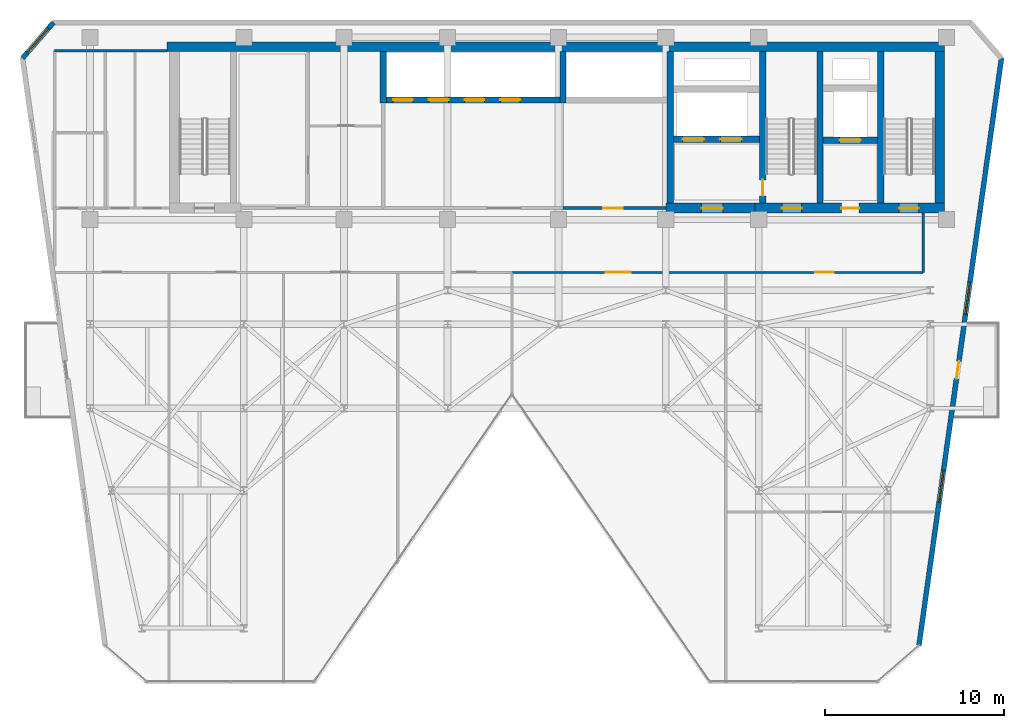
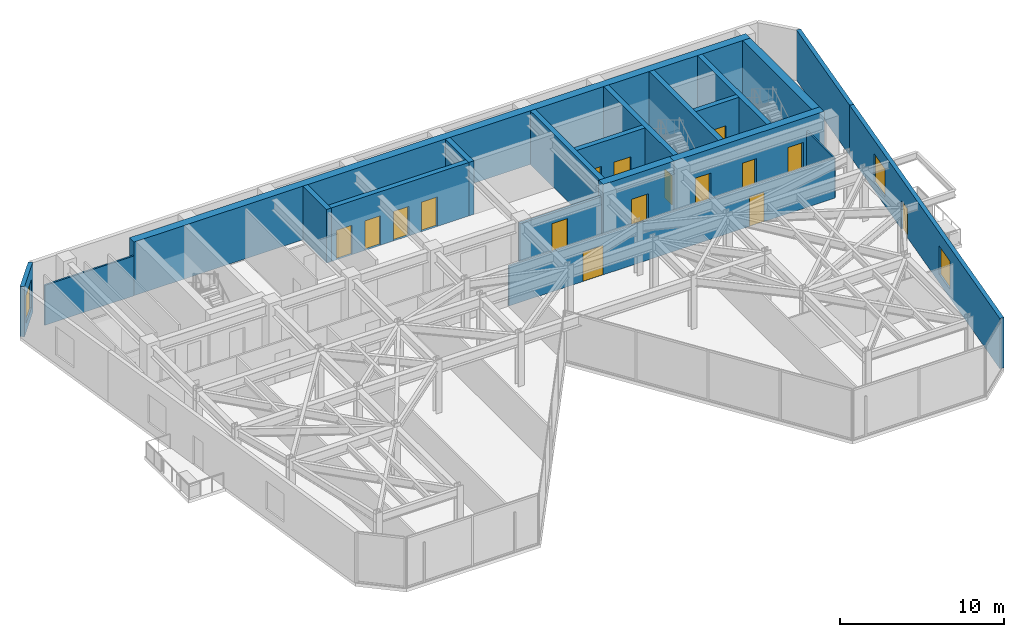
# One storey, part 17 of 21: 20 walls, 16 doors, 3 windows, 19 openings.
"""IFC4 building model written with IfcOpenShell, lengths in metres."""

from ifc_helpers import new_model, si_unit, direction, frame, frame_2d, origin, place, context, subcontext, project, spatial, rectangle, extrude, material, layer, layer_set, type_object, element, fill, save


model = new_model("IFC4")

# Units and contexts
model_context = context("Model", 3, precision=1e-05, world=origin(), true_north=direction((0.0, 1.0)))
body_context = subcontext(model_context, "Body", "Model", "MODEL_VIEW")
ifc_project = project(units=[si_unit("LENGTHUNIT", "METRE"), si_unit("AREAUNIT", "SQUARE_METRE"), si_unit("VOLUMEUNIT", "CUBIC_METRE"), si_unit("PLANEANGLEUNIT", "RADIAN"), si_unit("MASSUNIT", "GRAM", prefix="KILO")], contexts=[model_context])

# Site, building, storey
site_placement = place(None, origin())
site = spatial("IfcSite", under=ifc_project, at=site_placement, CompositionType="ELEMENT")
building_placement = place(site_placement, origin())
building = spatial("IfcBuilding", under=site, at=building_placement, Name="Kravanh Interchange Tower", CompositionType="ELEMENT")
storey_placement = place(building_placement, frame((0.0, 0.0, 168.5)))
storey = spatial("IfcBuildingStorey", under=building, at=storey_placement, Name="L40", CompositionType="ELEMENT", Elevation=168.5)

# Wall
ifc_material_1 = material(Name="Double Acoustic Gypsum Board and Mineral Wool")
ifc_layer_1 = layer(ifc_material_1, 0.1201171875)
ifc_layer_set_1 = layer_set([ifc_layer_1], Name="Acoustic Office Drywall Partition 120mm")
wall_type_1 = type_object("IfcWallType", Name="Acoustic Office Drywall Partition 120mm", PredefinedType="PARTITIONING", material=ifc_layer_set_1)
wall_1_placement = place(storey_placement, frame((16.6201171875, 46.800048828125, 0.0), z_axis=(0.0, 0.0, 1.0), x_axis=(1.0, 0.0, 0.0)))
element("IfcWall", 1, at=wall_1_placement, inside=storey, type_object=wall_type_1, Name="L40 Restroom North Enclosure 9", PredefinedType="PARTITIONING", context=body_context, shape_type="SweptSolid", body=[
    extrude(rectangle(XDim=6.27978515625, YDim=0.1201171875, at=frame_2d((3.139892578125, 0.0))), origin(), (0.0, 0.0, 1.0), 2.98193359375),
])

# Wall, openings, doors
wall_2_placement = place(storey_placement, frame((42.199951171875, 34.39990234375, 0.0), z_axis=(0.0, 0.0, 1.0), x_axis=(1.0, 0.0, 0.0)))
wall_2 = element("IfcWall", 2, at=wall_2_placement, inside=storey, type_object=wall_type_1, Name="L40 Interior Partition 14", PredefinedType="PARTITIONING", context=body_context, shape_type="SweptSolid", body=[
    extrude(rectangle(XDim=23.0, YDim=0.1201171875, at=frame_2d((11.5, 0.0))), origin(), (0.0, 0.0, 1.0), 2.98193359375),
])
opening_1_placement = place(wall_2_placement, frame((5.23974609375, 0.0, 0.0)))
opening_1 = element("IfcOpeningElement", 3, at=opening_1_placement, cuts=wall_2, Name="Opening DBL-140", PredefinedType="OPENING", context=body_context, shape_type="SweptSolid", body=[
    extrude(rectangle(XDim=1.39990234375, YDim=2.199951171875, at=frame_2d((0.699951171875, 1.10009765625))), frame((0.0, 0.070068359375, 0.0), z_axis=(0.0, -1.0, 0.0), x_axis=(1.0, 0.0, 0.0)), (0.0, 0.0, 1.0), 0.14013671875),
])
opening_2_placement = place(wall_2_placement, frame((16.955078125, 0.0, 0.0)))
opening_2 = element("IfcOpeningElement", 4, at=opening_2_placement, cuts=wall_2, Name="Opening D-105", PredefinedType="OPENING", context=body_context, shape_type="SweptSolid", body=[
    extrude(rectangle(XDim=1.050048828125, YDim=2.199951171875, at=frame_2d((0.52490234375, 1.10009765625))), frame((0.0, 0.070068359375, 0.0), z_axis=(0.0, -1.0, 0.0), x_axis=(1.0, 0.0, 0.0)), (0.0, 0.0, 1.0), 0.14013671875),
])
ifc_material_2 = material(Name="Acoustic Bronze-Framed Glass", Category="glass")
door_type_1 = type_object("IfcDoorType", Name="Hospitality Lounge Double Door 1400x2200", OperationType="DOUBLE_DOOR_SINGLE_SWING", PredefinedType="DOOR", material=ifc_material_2)
door_1_placement = place(opening_1_placement, origin())
door_1 = element("IfcDoor", 5, at=door_1_placement, inside=storey, type_object=door_type_1, Name="L40 Executive Office 8E Door", OperationType="DOUBLE_DOOR_SINGLE_SWING", OverallHeight=2.199951171875, OverallWidth=1.39990234375, PredefinedType="DOOR", context=body_context, shape_type="SweptSolid", body=[
    extrude(rectangle(XDim=1.39990234375, YDim=2.199951171875, at=frame_2d((0.699951171875, 1.10009765625))), frame((0.0, 0.02490234375, 0.0), z_axis=(0.0, -1.0, 0.0), x_axis=(1.0, 0.0, 0.0)), (0.0, 0.0, 1.0), 0.050048828125),
])
fill(opening_1, door_1)
ifc_material_3 = material(Name="Acoustic Glazed Oak and Aluminium", Category="aluminium")
door_type_2 = type_object("IfcDoorType", Name="Office Workplace Door 1050x2200", OperationType="NOTDEFINED", PredefinedType="DOOR", material=ifc_material_3)
door_2_placement = place(opening_2_placement, origin())
door_2 = element("IfcDoor", 6, at=door_2_placement, inside=storey, type_object=door_type_2, Name="L40 East Balcony Office 8F Door", OperationType="SINGLE_SWING_RIGHT", OverallHeight=2.199951171875, OverallWidth=1.050048828125, PredefinedType="DOOR", context=body_context, shape_type="SweptSolid", body=[
    extrude(rectangle(XDim=1.050048828125, YDim=2.199951171875, at=frame_2d((0.52490234375, 1.10009765625))), frame((0.0, 0.02490234375, 0.0), z_axis=(0.0, -1.0, 0.0), x_axis=(1.0, 0.0, 0.0)), (0.0, 0.0, 1.0), 0.050048828125),
])
fill(opening_2, door_2)

# Walls
wall_3_placement = place(storey_placement, frame((65.199951171875, 34.39990234375, 0.0), z_axis=(0.0, 0.0, 1.0), x_axis=(0.0, 1.0, 0.0)))
element("IfcWall", 7, at=wall_3_placement, inside=storey, type_object=wall_type_1, Name="L40 Interior Partition 16", PredefinedType="PARTITIONING", context=body_context, shape_type="SweptSolid", body=[
    extrude(rectangle(XDim=3.317138671875, YDim=0.1201171875, at=frame_2d((1.65869140625, 0.0))), origin(), (0.0, 0.0, 1.0), 2.98193359375),
])
ifc_material_4 = material(Name="Concrete C60/75", Category="concrete")
ifc_layer_2 = layer(ifc_material_4, 0.35009765625)
ifc_layer_set_2 = layer_set([ifc_layer_2], Name="Core Shear Wall Concrete C60/75 350mm")
wall_type_2 = type_object("IfcWallType", Name="Core Shear Wall Concrete C60/75 350mm", PredefinedType="SHEAR", material=ifc_layer_set_2)
for number, where, z_axis, x_axis, name in (
    (8, (62.824951171875, 38.27490234375, 0.0), (0.0, 0.0, 1.0), (0.0, 1.0, 0.0), "L40 Stair ST1 West Shear Wall"),
    (9, (59.425048828125, 38.27490234375, 0.0), (0.0, 0.0, 1.0), (0.0, 1.0, 0.0), "L40 Stair ST2 East Shear Wall"),
):
    element("IfcWall", number, at=place(storey_placement, frame(where, z_axis=z_axis, x_axis=x_axis)), inside=storey, type_object=wall_type_2, Name=name, PredefinedType="SHEAR", context=body_context, shape_type="SweptSolid", body=[
        extrude(rectangle(XDim=8.47509765625, YDim=0.35009765625, at=frame_2d((4.237548828125, 0.0))), origin(), (0.0, 0.0, 1.0), 4.0),
    ])

# Wall, opening, door
wall_4_placement = place(storey_placement, frame((56.22509765625, 38.27490234375, 0.0), z_axis=(0.0, 0.0, 1.0), x_axis=(0.0, 1.0, 0.0)))
wall_4 = element("IfcWall", 10, at=wall_4_placement, inside=storey, type_object=wall_type_2, Name="L40 Stair ST2 West Shear Wall", PredefinedType="SHEAR", context=body_context, shape_type="SweptSolid", body=[
    extrude(rectangle(XDim=8.47509765625, YDim=0.35009765625, at=frame_2d((4.237548828125, 0.0))), origin(), (0.0, 0.0, 1.0), 4.0),
])
opening_3_placement = place(wall_4_placement, frame((0.405029296875, 0.0, 0.0)))
opening_3 = element("IfcOpeningElement", 11, at=opening_3_placement, cuts=wall_4, Name="Opening D-STAIR-90", PredefinedType="OPENING", context=body_context, shape_type="SweptSolid", body=[
    extrude(rectangle(XDim=0.89990234375, YDim=2.14990234375, at=frame_2d((0.449951171875, 1.074951171875))), frame((0.0, 0.18505859375, 0.0), z_axis=(0.0, -1.0, 0.0), x_axis=(1.0, 0.0, 0.0)), (0.0, 0.0, 1.0), 0.3701171875),
])
ifc_material_5 = material(Name="Structural Steel S355", Category="steel")
door_type_3 = type_object("IfcDoorType", Name="Fire-Rated Stair Lobby Door 900x2150", OperationType="NOTDEFINED", PredefinedType="DOOR", material=ifc_material_5)
door_3_placement = place(opening_3_placement, origin())
door_3 = element("IfcDoor", 12, at=door_3_placement, inside=storey, type_object=door_type_3, Name="L40 Firefighting Lobby to Stair ST2 Door", OperationType="SINGLE_SWING_LEFT", OverallHeight=2.14990234375, OverallWidth=0.89990234375, PredefinedType="DOOR", context=body_context, shape_type="SweptSolid", body=[
    extrude(rectangle(XDim=0.89990234375, YDim=2.14990234375, at=frame_2d((0.449951171875, 1.074951171875))), frame((0.0, 0.02490234375, 0.0), z_axis=(0.0, -1.0, 0.0), x_axis=(1.0, 0.0, 0.0)), (0.0, 0.0, 1.0), 0.050048828125),
])
fill(opening_3, door_3)

wall_5_placement = place(storey_placement, frame((59.60009765625, 41.800048828125, 0.0), z_axis=(0.0, 0.0, 1.0), x_axis=(1.0, 0.0, 0.0)))
wall_5 = element("IfcWall", 13, at=wall_5_placement, inside=storey, type_object=wall_type_2, Name="L40 Service Lift Shaft South Wall", PredefinedType="SHEAR", context=body_context, shape_type="SweptSolid", body=[
    extrude(rectangle(XDim=3.0498046875, YDim=0.35009765625, at=frame_2d((1.52490234375, 0.0))), origin(), (0.0, 0.0, 1.0), 4.0),
])
opening_4_placement = place(wall_5_placement, frame((0.919921875, 0.0, 0.0)))
opening_4 = element("IfcOpeningElement", 14, at=opening_4_placement, cuts=wall_5, Name="Opening LD02", PredefinedType="OPENING", context=body_context, shape_type="SweptSolid", body=[
    extrude(rectangle(XDim=1.199951171875, YDim=2.199951171875, at=frame_2d((0.60009765625, 1.10009765625))), frame((0.0, 0.18505859375, 0.0), z_axis=(0.0, -1.0, 0.0), x_axis=(1.0, 0.0, 0.0)), (0.0, 0.0, 1.0), 0.3701171875),
])
ifc_material_6 = material(Name="Stainless Steel 316", Category="steel")
door_type_4 = type_object("IfcDoorType", Name="Fire and Service Lift Sliding Landing Door 1200x2200", OperationType="DOUBLE_DOOR_SLIDING", PredefinedType="DOOR", material=ifc_material_6)
door_4_placement = place(opening_4_placement, origin())
door_4 = element("IfcDoor", 15, at=door_4_placement, inside=storey, type_object=door_type_4, Name="L40 Lift LS-01 Landing Door", OperationType="DOUBLE_DOOR_SLIDING", OverallHeight=2.199951171875, OverallWidth=1.199951171875, PredefinedType="DOOR", context=body_context, shape_type="SweptSolid", body=[
    extrude(rectangle(XDim=1.199951171875, YDim=2.199951171875, at=frame_2d((0.60009765625, 1.10009765625))), frame((0.0, 0.02490234375, 0.0), z_axis=(0.0, -1.0, 0.0), x_axis=(1.0, 0.0, 0.0)), (0.0, 0.0, 1.0), 0.050048828125),
])
fill(opening_4, door_4)

# Wall, openings, doors
wall_6_placement = place(storey_placement, frame((51.22509765625, 41.85009765625, 0.0), z_axis=(0.0, 0.0, 1.0), x_axis=(1.0, 0.0, 0.0)))
wall_6 = element("IfcWall", 16, at=wall_6_placement, inside=storey, type_object=wall_type_2, Name="L40 Fire Lift Shaft South Wall", PredefinedType="SHEAR", context=body_context, shape_type="SweptSolid", body=[
    extrude(rectangle(XDim=4.824951171875, YDim=0.35009765625, at=frame_2d((2.41259765625, 0.0))), origin(), (0.0, 0.0, 1.0), 4.0),
])
opening_5_placement = place(wall_6_placement, frame((0.52490234375, 0.0, 0.0)))
opening_5 = element("IfcOpeningElement", 17, at=opening_5_placement, cuts=wall_6, Name="Opening LD02", PredefinedType="OPENING", context=body_context, shape_type="SweptSolid", body=[
    extrude(rectangle(XDim=1.199951171875, YDim=2.199951171875, at=frame_2d((0.60009765625, 1.10009765625))), frame((0.0, 0.18505859375, 0.0), z_axis=(0.0, -1.0, 0.0), x_axis=(1.0, 0.0, 0.0)), (0.0, 0.0, 1.0), 0.3701171875),
])
opening_6_placement = place(wall_6_placement, frame((2.625, 0.0, 0.0)))
opening_6 = element("IfcOpeningElement", 18, at=opening_6_placement, cuts=wall_6, Name="Opening LD02", PredefinedType="OPENING", context=body_context, shape_type="SweptSolid", body=[
    extrude(rectangle(XDim=1.199951171875, YDim=2.199951171875, at=frame_2d((0.60009765625, 1.10009765625))), frame((0.0, 0.18505859375, 0.0), z_axis=(0.0, -1.0, 0.0), x_axis=(1.0, 0.0, 0.0)), (0.0, 0.0, 1.0), 0.3701171875),
])
door_5_placement = place(opening_5_placement, origin())
door_5 = element("IfcDoor", 19, at=door_5_placement, inside=storey, type_object=door_type_4, Name="L40 Lift FSAE-01 Landing Door", OperationType="DOUBLE_DOOR_SLIDING", OverallHeight=2.199951171875, OverallWidth=1.199951171875, PredefinedType="DOOR", context=body_context, shape_type="SweptSolid", body=[
    extrude(rectangle(XDim=1.199951171875, YDim=2.199951171875, at=frame_2d((0.60009765625, 1.10009765625))), frame((0.0, 0.02490234375, 0.0), z_axis=(0.0, -1.0, 0.0), x_axis=(1.0, 0.0, 0.0)), (0.0, 0.0, 1.0), 0.050048828125),
])
fill(opening_5, door_5)
door_6_placement = place(opening_6_placement, origin())
door_6 = element("IfcDoor", 20, at=door_6_placement, inside=storey, type_object=door_type_4, Name="L40 Lift FSAE-02 Landing Door", OperationType="DOUBLE_DOOR_SLIDING", OverallHeight=2.199951171875, OverallWidth=1.199951171875, PredefinedType="DOOR", context=body_context, shape_type="SweptSolid", body=[
    extrude(rectangle(XDim=1.199951171875, YDim=2.199951171875, at=frame_2d((0.60009765625, 1.10009765625))), frame((0.0, 0.02490234375, 0.0), z_axis=(0.0, -1.0, 0.0), x_axis=(1.0, 0.0, 0.0)), (0.0, 0.0, 1.0), 0.050048828125),
])
fill(opening_6, door_6)

# Walls
wall_7_placement = place(storey_placement, frame((51.050048828125, 38.27490234375, 0.0), z_axis=(0.0, 0.0, 1.0), x_axis=(0.0, 1.0, 0.0)))
element("IfcWall", 21, at=wall_7_placement, inside=storey, type_object=wall_type_2, Name="L40 Firefighting Lobby West Wall", PredefinedType="SHEAR", context=body_context, shape_type="SweptSolid", body=[
    extrude(rectangle(XDim=8.47509765625, YDim=0.35009765625, at=frame_2d((4.237548828125, 0.0))), origin(), (0.0, 0.0, 1.0), 4.0),
])
wall_8_placement = place(storey_placement, frame((45.050048828125, 43.875, 0.0), z_axis=(0.0, 0.0, 1.0), x_axis=(0.0, 1.0, 0.0)))
element("IfcWall", 22, at=wall_8_placement, inside=storey, type_object=wall_type_2, Name="L40 High-Rise Lift Shaft West Wall", PredefinedType="SHEAR", context=body_context, shape_type="SweptSolid", body=[
    extrude(rectangle(XDim=2.875, YDim=0.35009765625, at=frame_2d((1.4375, 0.0))), origin(), (0.0, 0.0, 1.0), 4.0),
])

# Wall, openings, doors
wall_9_placement = place(storey_placement, frame((35.175048828125, 44.050048828125, 0.0), z_axis=(0.0, 0.0, 1.0), x_axis=(1.0, 0.0, 0.0)))
wall_9 = element("IfcWall", 23, at=wall_9_placement, inside=storey, type_object=wall_type_2, Name="L40 Mid-Rise Lift Shaft South Wall", PredefinedType="SHEAR", context=body_context, shape_type="SweptSolid", body=[
    extrude(rectangle(XDim=9.699951171875, YDim=0.35009765625, at=frame_2d((4.85009765625, 0.0))), origin(), (0.0, 0.0, 1.0), 4.0),
])
opening_7_placement = place(wall_9_placement, frame((0.375, 0.0, 0.0)))
opening_7 = element("IfcOpeningElement", 24, at=opening_7_placement, cuts=wall_9, Name="Opening LD01", PredefinedType="OPENING", context=body_context, shape_type="SweptSolid", body=[
    extrude(rectangle(XDim=1.10009765625, YDim=2.199951171875, at=frame_2d((0.550048828125, 1.10009765625))), frame((0.0, 0.18505859375, 0.0), z_axis=(0.0, -1.0, 0.0), x_axis=(1.0, 0.0, 0.0)), (0.0, 0.0, 1.0), 0.3701171875),
])
opening_8_placement = place(wall_9_placement, frame((2.375, 0.0, 0.0)))
opening_8 = element("IfcOpeningElement", 25, at=opening_8_placement, cuts=wall_9, Name="Opening LD01", PredefinedType="OPENING", context=body_context, shape_type="SweptSolid", body=[
    extrude(rectangle(XDim=1.10009765625, YDim=2.199951171875, at=frame_2d((0.550048828125, 1.10009765625))), frame((0.0, 0.18505859375, 0.0), z_axis=(0.0, -1.0, 0.0), x_axis=(1.0, 0.0, 0.0)), (0.0, 0.0, 1.0), 0.3701171875),
])
opening_9_placement = place(wall_9_placement, frame((4.375, 0.0, 0.0)))
opening_9 = element("IfcOpeningElement", 26, at=opening_9_placement, cuts=wall_9, Name="Opening LD01", PredefinedType="OPENING", context=body_context, shape_type="SweptSolid", body=[
    extrude(rectangle(XDim=1.10009765625, YDim=2.199951171875, at=frame_2d((0.550048828125, 1.10009765625))), frame((0.0, 0.18505859375, 0.0), z_axis=(0.0, -1.0, 0.0), x_axis=(1.0, 0.0, 0.0)), (0.0, 0.0, 1.0), 0.3701171875),
])
opening_10_placement = place(wall_9_placement, frame((6.375, 0.0, 0.0)))
opening_10 = element("IfcOpeningElement", 27, at=opening_10_placement, cuts=wall_9, Name="Opening LD01", PredefinedType="OPENING", context=body_context, shape_type="SweptSolid", body=[
    extrude(rectangle(XDim=1.10009765625, YDim=2.199951171875, at=frame_2d((0.550048828125, 1.10009765625))), frame((0.0, 0.18505859375, 0.0), z_axis=(0.0, -1.0, 0.0), x_axis=(1.0, 0.0, 0.0)), (0.0, 0.0, 1.0), 0.3701171875),
])
ifc_material_7 = material(Name="Stainless Steel 304", Category="steel")
door_type_5 = type_object("IfcDoorType", Name="Passenger Lift Sliding Landing Door 1100x2200", OperationType="DOUBLE_DOOR_SLIDING", PredefinedType="DOOR", material=ifc_material_7)
door_7_placement = place(opening_7_placement, origin())
door_7 = element("IfcDoor", 28, at=door_7_placement, inside=storey, type_object=door_type_5, Name="L40 Lift LP-M1 Landing Door", OperationType="DOUBLE_DOOR_SLIDING", OverallHeight=2.199951171875, OverallWidth=1.10009765625, PredefinedType="DOOR", context=body_context, shape_type="SweptSolid", body=[
    extrude(rectangle(XDim=1.10009765625, YDim=2.199951171875, at=frame_2d((0.550048828125, 1.10009765625))), frame((0.0, 0.02490234375, 0.0), z_axis=(0.0, -1.0, 0.0), x_axis=(1.0, 0.0, 0.0)), (0.0, 0.0, 1.0), 0.050048828125),
])
fill(opening_7, door_7)
door_8_placement = place(opening_8_placement, origin())
door_8 = element("IfcDoor", 29, at=door_8_placement, inside=storey, type_object=door_type_5, Name="L40 Lift LP-M2 Landing Door", OperationType="DOUBLE_DOOR_SLIDING", OverallHeight=2.199951171875, OverallWidth=1.10009765625, PredefinedType="DOOR", context=body_context, shape_type="SweptSolid", body=[
    extrude(rectangle(XDim=1.10009765625, YDim=2.199951171875, at=frame_2d((0.550048828125, 1.10009765625))), frame((0.0, 0.02490234375, 0.0), z_axis=(0.0, -1.0, 0.0), x_axis=(1.0, 0.0, 0.0)), (0.0, 0.0, 1.0), 0.050048828125),
])
fill(opening_8, door_8)
door_9_placement = place(opening_9_placement, origin())
door_9 = element("IfcDoor", 30, at=door_9_placement, inside=storey, type_object=door_type_5, Name="L40 Lift LP-M3 Landing Door", OperationType="DOUBLE_DOOR_SLIDING", OverallHeight=2.199951171875, OverallWidth=1.10009765625, PredefinedType="DOOR", context=body_context, shape_type="SweptSolid", body=[
    extrude(rectangle(XDim=1.10009765625, YDim=2.199951171875, at=frame_2d((0.550048828125, 1.10009765625))), frame((0.0, 0.02490234375, 0.0), z_axis=(0.0, -1.0, 0.0), x_axis=(1.0, 0.0, 0.0)), (0.0, 0.0, 1.0), 0.050048828125),
])
fill(opening_9, door_9)
door_10_placement = place(opening_10_placement, origin())
door_10 = element("IfcDoor", 31, at=door_10_placement, inside=storey, type_object=door_type_5, Name="L40 Lift LP-M4 Landing Door", OperationType="DOUBLE_DOOR_SLIDING", OverallHeight=2.199951171875, OverallWidth=1.10009765625, PredefinedType="DOOR", context=body_context, shape_type="SweptSolid", body=[
    extrude(rectangle(XDim=1.10009765625, YDim=2.199951171875, at=frame_2d((0.550048828125, 1.10009765625))), frame((0.0, 0.02490234375, 0.0), z_axis=(0.0, -1.0, 0.0), x_axis=(1.0, 0.0, 0.0)), (0.0, 0.0, 1.0), 0.050048828125),
])
fill(opening_10, door_10)

# Walls
wall_10_placement = place(storey_placement, frame((35.0, 43.875, 0.0), z_axis=(0.0, 0.0, 1.0), x_axis=(0.0, 1.0, 0.0)))
element("IfcWall", 32, at=wall_10_placement, inside=storey, type_object=wall_type_2, Name="L40 Mid-Rise Lift Shaft West Wall", PredefinedType="SHEAR", context=body_context, shape_type="SweptSolid", body=[
    extrude(rectangle(XDim=2.875, YDim=0.35009765625, at=frame_2d((1.4375, 0.0))), origin(), (0.0, 0.0, 1.0), 4.0),
])
ifc_material_8 = material(Name="Concrete C70/85", Category="concrete")
ifc_layer_3 = layer(ifc_material_8, 0.550048828125)
ifc_layer_set_3 = layer_set([ifc_layer_3], Name="Core Shear Wall Concrete C70/85 550mm")
wall_type_3 = type_object("IfcWallType", Name="Core Shear Wall Concrete C70/85 550mm", PredefinedType="SHEAR", material=ifc_layer_set_3)
wall_11_placement = place(storey_placement, frame((22.89990234375, 47.02490234375, 0.0), z_axis=(0.0, 0.0, 1.0), x_axis=(1.0, 0.0, 0.0)))
element("IfcWall", 33, at=wall_11_placement, inside=storey, type_object=wall_type_3, Name="L40 North Core Shear Wall", PredefinedType="SHEAR", context=body_context, shape_type="SweptSolid", body=[
    extrude(rectangle(XDim=43.5, YDim=0.550048828125, at=frame_2d((21.75, 0.0))), origin(), (0.0, 0.0, 1.0), 4.0),
])

# Wall, openings, doors
wall_12_placement = place(storey_placement, frame((55.800048828125, 38.0, 0.0), z_axis=(0.0, 0.0, 1.0), x_axis=(1.0, 0.0, 0.0)))
wall_12 = element("IfcWall", 34, at=wall_12_placement, inside=storey, type_object=wall_type_3, Name="L40 East Core South Shear Wall", PredefinedType="SHEAR", context=body_context, shape_type="SweptSolid", body=[
    extrude(rectangle(XDim=10.599853515625, YDim=0.550048828125, at=frame_2d((5.2998046875, 0.0))), origin(), (0.0, 0.0, 1.0), 4.0),
])
opening_11_placement = place(wall_12_placement, frame((1.5, 0.0, 0.0)))
opening_11 = element("IfcOpeningElement", 35, at=opening_11_placement, cuts=wall_12, Name="Opening D-STAIR-110", PredefinedType="OPENING", context=body_context, shape_type="SweptSolid", body=[
    extrude(rectangle(XDim=1.10009765625, YDim=2.199951171875, at=frame_2d((0.550048828125, 1.10009765625))), frame((0.0, 0.28515625, 0.0), z_axis=(0.0, -1.0, 0.0), x_axis=(1.0, 0.0, 0.0)), (0.0, 0.0, 1.0), 0.570068359375),
])
opening_12_placement = place(wall_12_placement, frame((4.820068359375, 0.0, 0.0)))
opening_12 = element("IfcOpeningElement", 36, at=opening_12_placement, cuts=wall_12, Name="Opening D-HOTEL-100", PredefinedType="OPENING", context=body_context, shape_type="SweptSolid", body=[
    extrude(rectangle(XDim=1.0, YDim=2.14990234375, at=frame_2d((0.5, 1.074951171875))), frame((0.0, 0.28515625, 0.0), z_axis=(0.0, -1.0, 0.0), x_axis=(1.0, 0.0, 0.0)), (0.0, 0.0, 1.0), 0.570068359375),
])
opening_13_placement = place(wall_12_placement, frame((8.050048828125, 0.0, 0.0)))
opening_13 = element("IfcOpeningElement", 37, at=opening_13_placement, cuts=wall_12, Name="Opening D-STAIR-110", PredefinedType="OPENING", context=body_context, shape_type="SweptSolid", body=[
    extrude(rectangle(XDim=1.10009765625, YDim=2.199951171875, at=frame_2d((0.550048828125, 1.10009765625))), frame((0.0, 0.28515625, 0.0), z_axis=(0.0, -1.0, 0.0), x_axis=(1.0, 0.0, 0.0)), (0.0, 0.0, 1.0), 0.570068359375),
])
ifc_material_9 = material(Name="Structural Steel S355", Category="steel")
door_type_6 = type_object("IfcDoorType", Name="Fire-Rated Exit Stair Door 1100x2200", OperationType="NOTDEFINED", PredefinedType="DOOR", material=ifc_material_9)
door_11_placement = place(opening_11_placement, origin())
door_11 = element("IfcDoor", 38, at=door_11_placement, inside=storey, type_object=door_type_6, Name="L40 Exit Stair ST2 Door", OperationType="SINGLE_SWING_RIGHT", OverallHeight=2.199951171875, OverallWidth=1.10009765625, PredefinedType="DOOR", context=body_context, shape_type="SweptSolid", body=[
    extrude(rectangle(XDim=1.10009765625, YDim=2.199951171875, at=frame_2d((0.550048828125, 1.10009765625))), frame((0.0, 0.02490234375, 0.0), z_axis=(0.0, -1.0, 0.0), x_axis=(1.0, 0.0, 0.0)), (0.0, 0.0, 1.0), 0.050048828125),
])
fill(opening_11, door_11)
door_12_placement = place(opening_13_placement, origin())
door_12 = element("IfcDoor", 39, at=door_12_placement, inside=storey, type_object=door_type_6, Name="L40 Exit Stair ST1 Door", OperationType="SINGLE_SWING_RIGHT", OverallHeight=2.199951171875, OverallWidth=1.10009765625, PredefinedType="DOOR", context=body_context, shape_type="SweptSolid", body=[
    extrude(rectangle(XDim=1.10009765625, YDim=2.199951171875, at=frame_2d((0.550048828125, 1.10009765625))), frame((0.0, 0.02490234375, 0.0), z_axis=(0.0, -1.0, 0.0), x_axis=(1.0, 0.0, 0.0)), (0.0, 0.0, 1.0), 0.050048828125),
])
fill(opening_13, door_12)
ifc_material_10 = material(Name="Fire-Rated Solid Timber Leaf", Category="wood")
door_type_7 = type_object("IfcDoorType", Name="Fire-Rated Suite Entrance Door 1000x2150", OperationType="NOTDEFINED", PredefinedType="DOOR", material=ifc_material_10)
door_13_placement = place(opening_12_placement, origin())
door_13 = element("IfcDoor", 40, at=door_13_placement, inside=storey, type_object=door_type_7, Name="L40 Service Lift Lobby Door", OperationType="SINGLE_SWING_RIGHT", OverallHeight=2.14990234375, OverallWidth=1.0, PredefinedType="DOOR", context=body_context, shape_type="SweptSolid", body=[
    extrude(rectangle(XDim=1.0, YDim=2.14990234375, at=frame_2d((0.5, 1.074951171875))), frame((0.0, 0.02490234375, 0.0), z_axis=(0.0, -1.0, 0.0), x_axis=(1.0, 0.0, 0.0)), (0.0, 0.0, 1.0), 0.050048828125),
])
fill(opening_12, door_13)

# Wall
wall_13_placement = place(storey_placement, frame((66.125, 38.27490234375, 0.0), z_axis=(0.0, 0.0, 1.0), x_axis=(0.0, 1.0, 0.0)))
element("IfcWall", 41, at=wall_13_placement, inside=storey, type_object=wall_type_3, Name="L40 Stair ST1 East Shear Wall", PredefinedType="SHEAR", context=body_context, shape_type="SweptSolid", body=[
    extrude(rectangle(XDim=8.47509765625, YDim=0.550048828125, at=frame_2d((4.237548828125, 0.0))), origin(), (0.0, 0.0, 1.0), 4.0),
])

# Wall, opening, door
wall_14_placement = place(storey_placement, frame((50.800048828125, 38.0, 0.0), z_axis=(0.0, 0.0, 1.0), x_axis=(1.0, 0.0, 0.0)))
wall_14 = element("IfcWall", 42, at=wall_14_placement, inside=storey, type_object=wall_type_3, Name="L40 Firefighting Lobby South Shear Wall", PredefinedType="SHEAR", context=body_context, shape_type="SweptSolid", body=[
    extrude(rectangle(XDim=5.0, YDim=0.550048828125, at=frame_2d((2.5, 0.0))), origin(), (0.0, 0.0, 1.0), 4.0),
])
opening_14_placement = place(wall_14_placement, frame((2.0, 0.0, 0.0)))
opening_14 = element("IfcOpeningElement", 43, at=opening_14_placement, cuts=wall_14, Name="Opening D-FSAE-120", PredefinedType="OPENING", context=body_context, shape_type="SweptSolid", body=[
    extrude(rectangle(XDim=1.199951171875, YDim=2.199951171875, at=frame_2d((0.60009765625, 1.10009765625))), frame((0.0, 0.28515625, 0.0), z_axis=(0.0, -1.0, 0.0), x_axis=(1.0, 0.0, 0.0)), (0.0, 0.0, 1.0), 0.570068359375),
])
ifc_material_11 = material(Name="Structural Steel S355", Category="steel")
door_type_8 = type_object("IfcDoorType", Name="Fire-Rated Refuge and FSAE Door 1200x2200", OperationType="NOTDEFINED", PredefinedType="DOOR", material=ifc_material_11)
door_14_placement = place(opening_14_placement, origin())
door_14 = element("IfcDoor", 44, at=door_14_placement, inside=storey, type_object=door_type_8, Name="L40 Firefighting Lobby Corridor Door", OperationType="SINGLE_SWING_RIGHT", OverallHeight=2.199951171875, OverallWidth=1.199951171875, PredefinedType="DOOR", context=body_context, shape_type="SweptSolid", body=[
    extrude(rectangle(XDim=1.199951171875, YDim=2.199951171875, at=frame_2d((0.60009765625, 1.10009765625))), frame((0.0, 0.02490234375, 0.0), z_axis=(0.0, -1.0, 0.0), x_axis=(1.0, 0.0, 0.0)), (0.0, 0.0, 1.0), 0.050048828125),
])
fill(opening_14, door_14)

# Wall, opening, window
ifc_material_12 = material(Name="Insulated Precast Concrete C40/50 with Bronze Cladding", Category="concrete")
ifc_layer_4 = layer(ifc_material_12, 0.280029296875)
ifc_layer_set_4 = layer_set([ifc_layer_4], Name="Exterior Insulated Concrete C40/50 Bronze Spandrel Wall 280mm")
wall_type_4 = type_object("IfcWallType", Name="Exterior Insulated Concrete C40/50 Bronze Spandrel Wall 280mm", PredefinedType="STANDARD", material=ifc_layer_set_4)
wall_15_placement = place(storey_placement, frame((14.818603515625, 46.3828125, 0.0), z_axis=(0.0, 0.0, 1.0), x_axis=(0.656071351282, 0.754698868442, 0.0)))
wall_15 = element("IfcWall", 45, at=wall_15_placement, inside=storey, type_object=wall_type_4, Name="L40 Exterior Wall 3", PredefinedType="STANDARD", context=body_context, shape_type="SweptSolid", body=[
    extrude(rectangle(XDim=2.646240234375, YDim=0.280029296875, at=frame_2d((1.3232421875, 0.0))), origin(), (0.0, 0.0, 1.0), 3.7548828125),
])
opening_15_placement = place(wall_15_placement, frame((0.41552734375, 0.0, 0.64990234375)))
opening_15 = element("IfcOpeningElement", 46, at=opening_15_placement, cuts=wall_15, Name="Opening WN-180X210", PredefinedType="OPENING", context=body_context, shape_type="SweptSolid", body=[
    extrude(rectangle(XDim=1.800048828125, YDim=2.10009765625, at=frame_2d((0.89990234375, 1.050048828125))), frame((0.0, 0.14990234375, 0.0), z_axis=(0.0, -1.0, 0.0), x_axis=(1.0, 0.0, 0.0)), (0.0, 0.0, 1.0), 0.300048828125),
])
ifc_material_13 = material(Name="Thermally Broken Bronze Aluminium and Low-E Glass", Category="aluminium")
window_type = type_object("IfcWindowType", Name="Tower Pier Window 1800x2100", PartitioningType="SINGLE_PANEL", PredefinedType="WINDOW", material=ifc_material_13)
window_1_placement = place(opening_15_placement, origin())
window_1 = element("IfcWindow", 47, at=window_1_placement, inside=storey, type_object=window_type, Name="L40 Corner Window 3", OverallHeight=2.10009765625, OverallWidth=1.800048828125, PartitioningType="SINGLE_PANEL", PredefinedType="WINDOW", context=body_context, shape_type="SweptSolid", body=[
    extrude(rectangle(XDim=1.800048828125, YDim=2.10009765625, at=frame_2d((0.89990234375, 1.050048828125))), frame((0.0, 0.030029296875, 0.0), z_axis=(0.0, -1.0, 0.0), x_axis=(1.0, 0.0, 0.0)), (0.0, 0.0, 1.0), 0.06005859375),
])
fill(opening_15, window_1)

# Wall
wall_16_placement = place(storey_placement, frame((69.581298828125, 46.3828125, 0.0), z_axis=(0.0, 0.0, 1.0), x_axis=(-0.13918102754, -0.990266954701, 0.0)))
element("IfcWall", 48, at=wall_16_placement, inside=storey, type_object=wall_type_4, Name="L40 Exterior Wall 6", PredefinedType="STANDARD", context=body_context, shape_type="SweptSolid", body=[
    extrude(rectangle(XDim=8.667236328125, YDim=0.280029296875, at=frame_2d((4.33349609375, 0.0))), origin(), (0.0, 0.0, 1.0), 3.7548828125),
])

# Wall, openings, door, windows
wall_17_placement = place(storey_placement, frame((68.375, 37.800048828125, 0.0), z_axis=(0.0, 0.0, 1.0), x_axis=(-0.139173290738, -0.99026804207, 0.0)))
wall_17 = element("IfcWall", 49, at=wall_17_placement, inside=storey, type_object=wall_type_4, Name="L40 Exterior Wall 7", PredefinedType="STANDARD", context=body_context, shape_type="SweptSolid", body=[
    extrude(rectangle(XDim=24.497802734375, YDim=0.280029296875, at=frame_2d((12.2490234375, 0.0))), origin(), (0.0, 0.0, 1.0), 3.7548828125),
])
opening_16_placement = place(wall_17_placement, frame((8.440185546875, 0.0, 0.0)))
opening_16 = element("IfcOpeningElement", 50, at=opening_16_placement, cuts=wall_17, Name="Opening ED-BAL100", PredefinedType="OPENING", context=body_context, shape_type="SweptSolid", body=[
    extrude(rectangle(XDim=1.0, YDim=2.14990234375, at=frame_2d((0.5, 1.074951171875))), frame((0.0, 0.14990234375, 0.0), z_axis=(0.0, -1.0, 0.0), x_axis=(1.0, 0.0, 0.0)), (0.0, 0.0, 1.0), 0.300048828125),
])
opening_17_placement = place(wall_17_placement, frame((3.98974609375, 0.0, 0.64990234375)))
opening_17 = element("IfcOpeningElement", 51, at=opening_17_placement, cuts=wall_17, Name="Opening WN-180X210", PredefinedType="OPENING", context=body_context, shape_type="SweptSolid", body=[
    extrude(rectangle(XDim=1.800048828125, YDim=2.10009765625, at=frame_2d((0.89990234375, 1.050048828125))), frame((0.0, 0.14990234375, 0.0), z_axis=(0.0, -1.0, 0.0), x_axis=(1.0, 0.0, 0.0)), (0.0, 0.0, 1.0), 0.300048828125),
])
opening_18_placement = place(wall_17_placement, frame((14.606201171875, 0.0, 0.64990234375)))
opening_18 = element("IfcOpeningElement", 52, at=opening_18_placement, cuts=wall_17, Name="Opening WN-180X210", PredefinedType="OPENING", context=body_context, shape_type="SweptSolid", body=[
    extrude(rectangle(XDim=1.800048828125, YDim=2.10009765625, at=frame_2d((0.89990234375, 1.050048828125))), frame((0.0, 0.14990234375, 0.0), z_axis=(0.0, -1.0, 0.0), x_axis=(1.0, 0.0, 0.0)), (0.0, 0.0, 1.0), 0.300048828125),
])
ifc_material_14 = material(Name="Thermally Broken Bronze Aluminium and Laminated Glass", Category="aluminium")
door_type_9 = type_object("IfcDoorType", Name="Balcony Glazed Door 1000x2150", OperationType="NOTDEFINED", PredefinedType="DOOR", material=ifc_material_14)
door_15_placement = place(opening_16_placement, origin())
door_15 = element("IfcDoor", 53, at=door_15_placement, inside=storey, type_object=door_type_9, Name="L40 E Tree Balcony Access Door", OperationType="SINGLE_SWING_LEFT", OverallHeight=2.14990234375, OverallWidth=1.0, PredefinedType="DOOR", context=body_context, shape_type="SweptSolid", body=[
    extrude(rectangle(XDim=1.0, YDim=2.14990234375, at=frame_2d((0.5, 1.074951171875))), frame((0.0, 0.02490234375, 0.0), z_axis=(0.0, -1.0, 0.0), x_axis=(1.0, 0.0, 0.0)), (0.0, 0.0, 1.0), 0.050048828125),
])
fill(opening_16, door_15)
window_2_placement = place(opening_17_placement, origin())
window_2 = element("IfcWindow", 54, at=window_2_placement, inside=storey, type_object=window_type, Name="L40 Facade Window 7A", OverallHeight=2.10009765625, OverallWidth=1.800048828125, PartitioningType="SINGLE_PANEL", PredefinedType="WINDOW", context=body_context, shape_type="SweptSolid", body=[
    extrude(rectangle(XDim=1.800048828125, YDim=2.10009765625, at=frame_2d((0.89990234375, 1.050048828125))), frame((0.0, 0.030029296875, 0.0), z_axis=(0.0, -1.0, 0.0), x_axis=(1.0, 0.0, 0.0)), (0.0, 0.0, 1.0), 0.06005859375),
])
fill(opening_17, window_2)
window_3_placement = place(opening_18_placement, origin())
window_3 = element("IfcWindow", 55, at=window_3_placement, inside=storey, type_object=window_type, Name="L40 Facade Window 7B", OverallHeight=2.10009765625, OverallWidth=1.800048828125, PartitioningType="SINGLE_PANEL", PredefinedType="WINDOW", context=body_context, shape_type="SweptSolid", body=[
    extrude(rectangle(XDim=1.800048828125, YDim=2.10009765625, at=frame_2d((0.89990234375, 1.050048828125))), frame((0.0, 0.030029296875, 0.0), z_axis=(0.0, -1.0, 0.0), x_axis=(1.0, 0.0, 0.0)), (0.0, 0.0, 1.0), 0.06005859375),
])
fill(opening_18, window_3)

# Wall, opening, door
ifc_material_15 = material(Name="Autoclaved Aerated Concrete C30/37 Blockwork", Category="masonry")
ifc_layer_5 = layer(ifc_material_15, 0.179931640625)
ifc_layer_set_5 = layer_set([ifc_layer_5], Name="Fire-Rated Lobby and Corridor Wall Concrete C30/37 180mm")
wall_type_5 = type_object("IfcWallType", Name="Fire-Rated Lobby and Corridor Wall Concrete C30/37 180mm", PredefinedType="STANDARD", material=ifc_layer_set_5)
wall_18_placement = place(storey_placement, frame((45.050048828125, 38.0, 0.0), z_axis=(0.0, 0.0, 1.0), x_axis=(1.0, 0.0, 0.0)))
wall_18 = element("IfcWall", 56, at=wall_18_placement, inside=storey, type_object=wall_type_5, Name="L40 Core South Enclosure 1", PredefinedType="STANDARD", context=body_context, shape_type="SweptSolid", body=[
    extrude(rectangle(XDim=5.75, YDim=0.179931640625, at=frame_2d((2.875, 0.0))), origin(), (0.0, 0.0, 1.0), 2.98193359375),
])
opening_19_placement = place(wall_18_placement, frame((2.240478515625, 0.0, 0.0)))
opening_19 = element("IfcOpeningElement", 57, at=opening_19_placement, cuts=wall_18, Name="Opening D-SHAFT-110", PredefinedType="OPENING", context=body_context, shape_type="SweptSolid", body=[
    extrude(rectangle(XDim=1.10009765625, YDim=2.199951171875, at=frame_2d((0.550048828125, 1.10009765625))), frame((0.0, 0.10009765625, 0.0), z_axis=(0.0, -1.0, 0.0), x_axis=(1.0, 0.0, 0.0)), (0.0, 0.0, 1.0), 0.199951171875),
])
ifc_material_16 = material(Name="Fire-Rated Composite Timber Leaf", Category="wood")
door_type_10 = type_object("IfcDoorType", Name="Fire-Rated Core Support Door 1100x2200", OperationType="NOTDEFINED", PredefinedType="DOOR", material=ifc_material_16)
door_16_placement = place(opening_19_placement, origin())
door_16 = element("IfcDoor", 58, at=door_16_placement, inside=storey, type_object=door_type_10, Name="L40 Core AHU Fan Room Door", OperationType="SINGLE_SWING_LEFT", OverallHeight=2.199951171875, OverallWidth=1.10009765625, PredefinedType="DOOR", context=body_context, shape_type="SweptSolid", body=[
    extrude(rectangle(XDim=1.10009765625, YDim=2.199951171875, at=frame_2d((0.550048828125, 1.10009765625))), frame((0.0, 0.02490234375, 0.0), z_axis=(0.0, -1.0, 0.0), x_axis=(1.0, 0.0, 0.0)), (0.0, 0.0, 1.0), 0.050048828125),
])
fill(opening_19, door_16)

save(model, "model.ifc")
